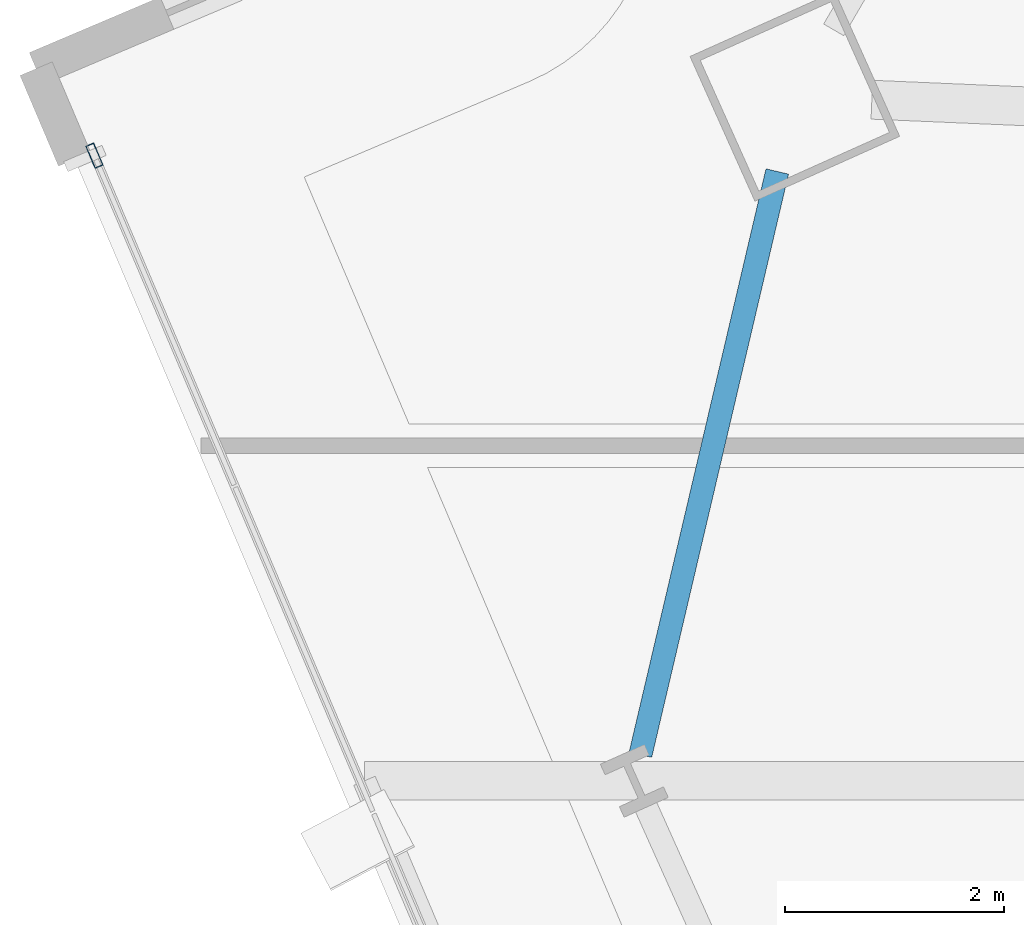
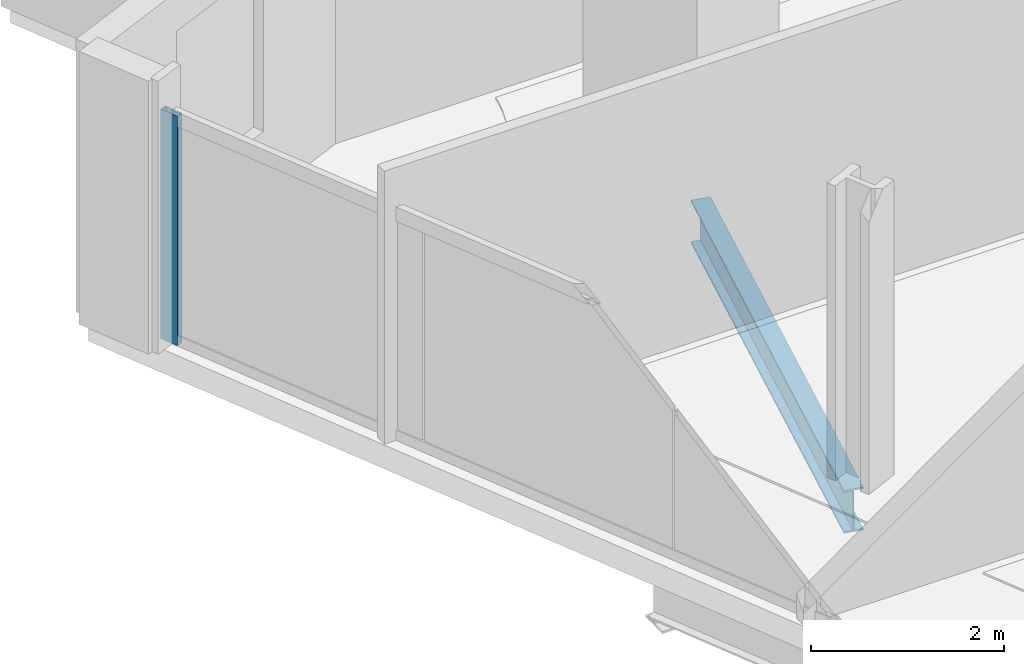
# One storey, part 14 of 34: 1 beam, 1 member, 1 element without a shape of its own.
"""IFC4 building model written with IfcOpenShell, lengths in metres."""

from ifc_helpers import new_model, si_unit, direction, frame, origin, origin_2d, place, context, subcontext, project, spatial, hollow_rectangle, i_section, extrude, material, material_profile, profile_set, type_object, element, aggregate, save


model = new_model("IFC4")

# Units and contexts
model_context = context("Model", 3, precision=1e-05, world=origin(), true_north=direction((0.0, 1.0)))
body_context = subcontext(model_context, "Body", "Model", "MODEL_VIEW")
ifc_project = project(units=[si_unit("LENGTHUNIT", "METRE"), si_unit("AREAUNIT", "SQUARE_METRE"), si_unit("VOLUMEUNIT", "CUBIC_METRE"), si_unit("PLANEANGLEUNIT", "RADIAN"), si_unit("MASSUNIT", "GRAM", prefix="KILO")], contexts=[model_context])

# Site, building, storey
site_placement = place(None, origin())
site = spatial("IfcSite", under=ifc_project, at=site_placement, CompositionType="ELEMENT")
building_placement = place(site_placement, origin())
building = spatial("IfcBuilding", under=site, at=building_placement, Name="Haldenkirk Collegiate Tower", CompositionType="ELEMENT")
storey_placement = place(building_placement, frame((0.0, 0.0, 105.449951171875)))
storey = spatial("IfcBuildingStorey", under=building, at=storey_placement, Name="L25", CompositionType="ELEMENT", Elevation=105.449951171875)

# Beam
ifc_material_1 = material(Name="Steel ASTM A992 Grade 50", Category="steel")
ifc_material_profile_1 = material_profile(ifc_material_1, i_section(OverallWidth=0.2119140625, OverallDepth=0.5439453125, WebThickness=0.01318359375, FlangeThickness=0.021240234375, at=origin_2d()), Name="W21X83")
ifc_profile_set_1 = profile_set([ifc_material_profile_1], Name="Steel ASTM A992 Grade 50")
beam_type = type_object("IfcBeamType", Name="BM-SPANDREL-W21X83", PredefinedType="SPANDREL", material=ifc_profile_set_1)
beam_placement = place(storey_placement, frame((10.624755859375, 34.0087890625, -0.572021484375), z_axis=(-0.228373515871, -0.97357359108, 0.0), x_axis=(0.97357359108, -0.228373515871, 0.0)))
element("IfcBeam", 1, at=beam_placement, inside=storey, type_object=beam_type, Name="L25 perimeter spandrel beam 13", PredefinedType="SPANDREL", context=body_context, shape_type="SweptSolid", body=[
    extrude(i_section(OverallWidth=0.2119140625, OverallDepth=0.5439453125, WebThickness=0.01318359375, FlangeThickness=0.021240234375, at=origin_2d()), origin(), (0.0, 0.0, 1.0), 5.477783203125),
])

# Curtain wall, member
ifc_material_2 = material(Name="Anodised architectural bronze aluminium", Category="aluminium")
curtain_wall_type = type_object("IfcCurtainWallType", Name="CW-SYS1-CONVEX-LOW", PredefinedType="USERDEFINED", material=ifc_material_2)
curtain_wall_placement = place(storey_placement, origin())
curtain_wall = element("IfcCurtainWall", 2, at=curtain_wall_placement, inside=storey, type_object=curtain_wall_type, Name="L25 Lower tower convex bronze-framed unitised curtain wall", ObjectType="UNITISED CURTAIN WALL", PredefinedType="USERDEFINED")
ifc_material_profile_2 = material_profile(ifc_material_2, hollow_rectangle(XDim=0.080078125, YDim=0.219970703125, WallThickness=0.0048828125, at=origin_2d()), Name="CW-MUL-1A")
ifc_profile_set_2 = profile_set([ifc_material_profile_2], Name="Anodised architectural bronze aluminium")
member_type = type_object("IfcMemberType", Name="CW-MUL-1A", PredefinedType="MULLION", material=ifc_profile_set_2)
member_placement = place(storey_placement, frame((4.380615234375, 34.1533203125, 0.0), z_axis=(0.0, 0.0, 1.0), x_axis=(-0.920505471827, -0.390729671687, 0.0)))
member = element("IfcMember", 3, at=member_placement, type_object=member_type, Name="CW-1A mullion 5", PredefinedType="MULLION", context=body_context, shape_type="SweptSolid", body=[
    extrude(hollow_rectangle(XDim=0.080078125, YDim=0.219970703125, WallThickness=0.0048828125, at=origin_2d()), origin(), (0.0, 0.0, 1.0), 2.901123046875),
])
aggregate(curtain_wall, [member])

save(model, "model.ifc")
